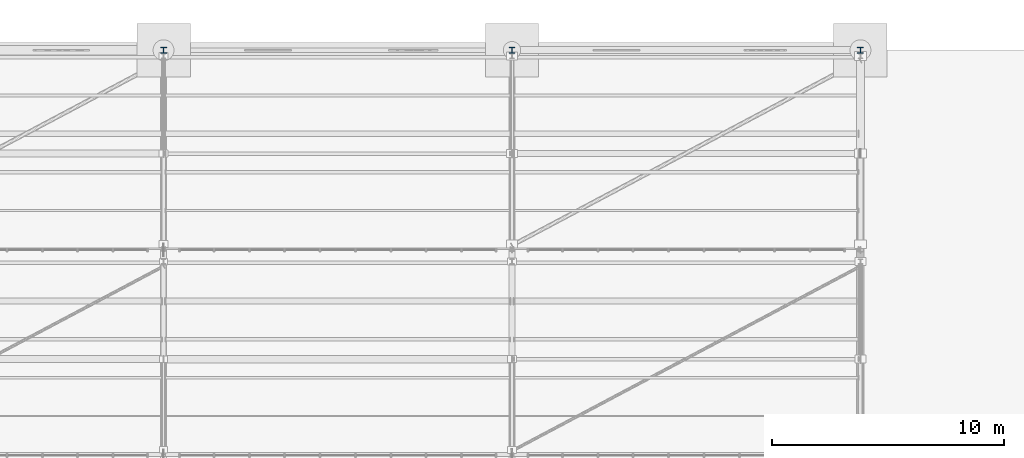
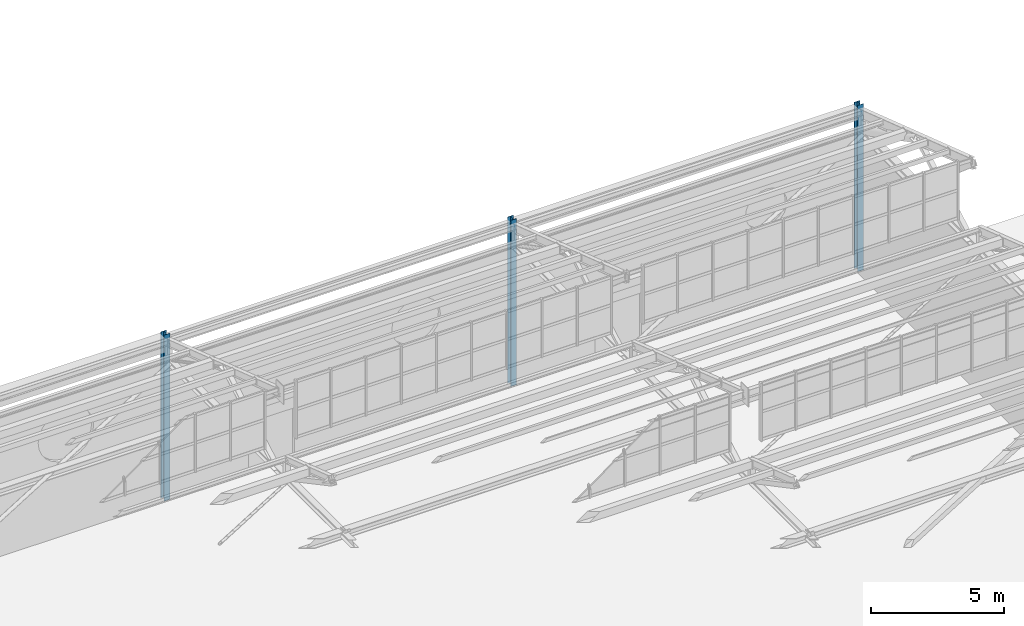
# One storey, part 35 of 285: 3 columns.
"""IFC4 building model written with IfcOpenShell, lengths in metres."""

from ifc_helpers import new_model, si_unit, direction, frame, origin, origin_2d, place, context, subcontext, project, spatial, i_section, extrude, material, material_profile, profile_set, type_object, element, save


model = new_model("IFC4")

# Units and contexts
model_context = context("Model", 3, precision=1e-05, world=origin(), true_north=direction((0.0, 1.0)))
body_context = subcontext(model_context, "Body", "Model", "MODEL_VIEW")
ifc_project = project(units=[si_unit("LENGTHUNIT", "METRE"), si_unit("AREAUNIT", "SQUARE_METRE"), si_unit("VOLUMEUNIT", "CUBIC_METRE"), si_unit("PLANEANGLEUNIT", "RADIAN"), si_unit("MASSUNIT", "GRAM", prefix="KILO")], contexts=[model_context])

# Site, building, storey
site_placement = place(None, origin())
site = spatial("IfcSite", under=ifc_project, at=site_placement, CompositionType="ELEMENT")
building_placement = place(site_placement, origin())
building = spatial("IfcBuilding", under=site, at=building_placement, Name="Solanera Park Tramway Depot", CompositionType="ELEMENT")
storey_placement = place(building_placement, origin())
storey = spatial("IfcBuildingStorey", under=building, at=storey_placement, Name="L00", CompositionType="ELEMENT", Elevation=0.0)

# Columns
ifc_material = material(Name="Steel AS/NZS 3679.1 Grade 350", Category="steel")
ifc_material_profile = material_profile(ifc_material, i_section(OverallWidth=0.255615234375, OverallDepth=0.260009765625, WebThickness=0.010498046875, FlangeThickness=0.017333984375, at=origin_2d()), Name="250UC89.5")
ifc_profile_set = profile_set([ifc_material_profile], Name="Steel AS/NZS 3679.1 Grade 350")
column_type = type_object("IfcColumnType", Name="Steel Column Ext 250UC89.5", PredefinedType="COLUMN", material=ifc_profile_set)
for number, where, z_axis, x_axis, name in (
    (1, (30.0, 144.0, 0.0), (0.0, 0.0, 1.0), (1.0, 0.0, 0.0), "L00 Column V1-X300-Y1440"),
    (2, (45.0, 144.0, 0.0), (0.0, 0.0, 1.0), (1.0, 0.0, 0.0), "L00 Column V1-X450-Y1440"),
    (3, (60.0, 144.0, 0.0), (0.0, 0.0, 1.0), (1.0, 0.0, 0.0), "L00 Column V1-X600-Y1440"),
):
    element("IfcColumn", number, at=place(storey_placement, frame(where, z_axis=z_axis, x_axis=x_axis)), inside=storey, type_object=column_type, Name=name, PredefinedType="COLUMN", context=body_context, shape_type="SweptSolid", body=[
        extrude(i_section(OverallWidth=0.255615234375, OverallDepth=0.260009765625, WebThickness=0.010498046875, FlangeThickness=0.017333984375, at=origin_2d()), origin(), (0.0, 0.0, 1.0), 7.60009765625),
    ])

save(model, "model.ifc")
